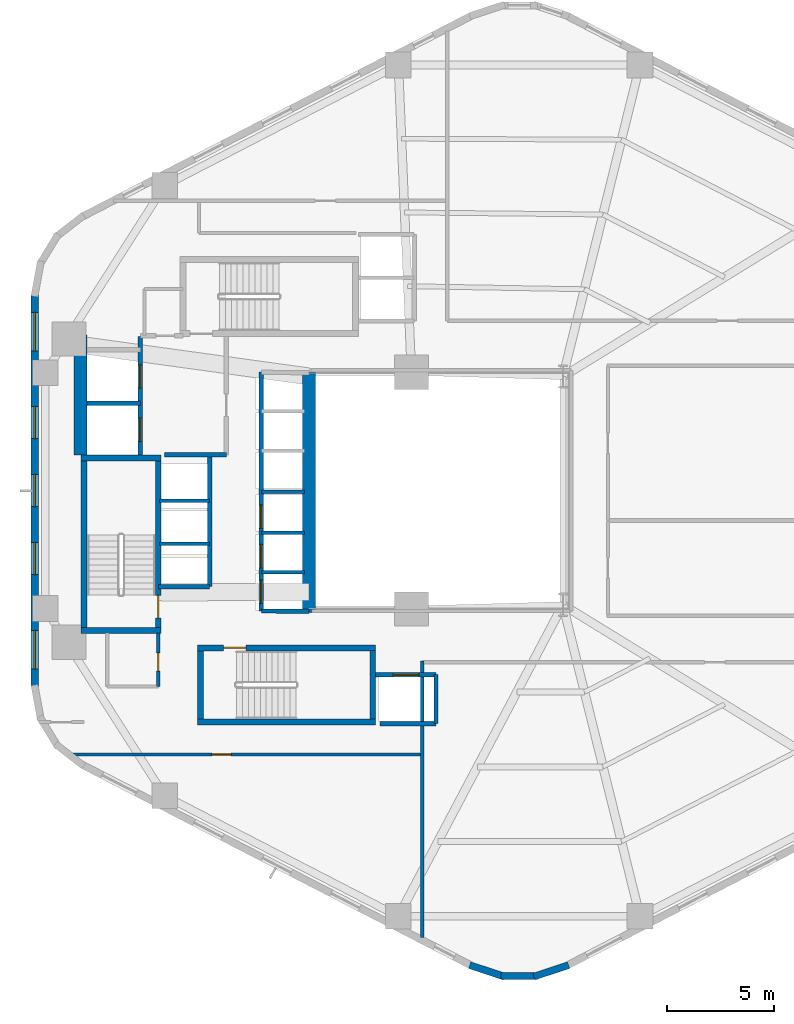
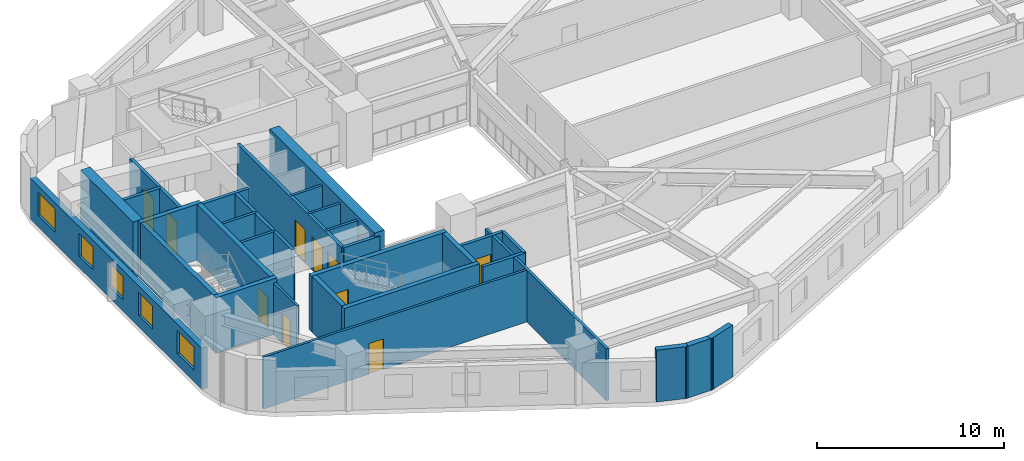
# One storey, part 5 of 10: 32 walls, 10 doors, 5 windows, 15 openings.
"""IFC4 building model written with IfcOpenShell, lengths in metres."""

from ifc_helpers import new_model, si_unit, direction, frame, frame_2d, origin, place, context, subcontext, project, spatial, rectangle, extrude, material, layer, layer_set, type_object, element, fill, save


model = new_model("IFC4")

# Units and contexts
model_context = context("Model", 3, precision=1e-05, world=origin(), true_north=direction((0.0, 1.0)))
body_context = subcontext(model_context, "Body", "Model", "MODEL_VIEW")
ifc_project = project(units=[si_unit("LENGTHUNIT", "METRE"), si_unit("AREAUNIT", "SQUARE_METRE"), si_unit("VOLUMEUNIT", "CUBIC_METRE"), si_unit("PLANEANGLEUNIT", "RADIAN"), si_unit("MASSUNIT", "GRAM", prefix="KILO"), si_unit("THERMODYNAMICTEMPERATUREUNIT", "KELVIN"), si_unit("POWERUNIT", "WATT")], contexts=[model_context])

# Site, building, storey
site_placement = place(None, origin())
site = spatial("IfcSite", under=ifc_project, at=site_placement, CompositionType="ELEMENT")
building_placement = place(site_placement, origin())
building = spatial("IfcBuilding", under=site, at=building_placement, Name="Skarre Station Tower", CompositionType="ELEMENT")
storey_placement = place(building_placement, frame((0.0, 0.0, 59.85009765625)))
storey = spatial("IfcBuildingStorey", under=building, at=storey_placement, Name="L15", CompositionType="ELEMENT", Elevation=59.85009765625)

# Wall, opening, door
ifc_material_1 = material(Name="Acoustic Steel-Stud Gypsum Partition", Category="steel")
ifc_layer_1 = layer(ifc_material_1, 0.14990234375, Name="Acoustic Steel-Stud Gypsum Partition")
ifc_layer_set_1 = layer_set([ifc_layer_1], Name="Acoustic Steel-Stud Gypsum Partition")
wall_type_1 = type_object("IfcWallType", Name="Fire-Rated Corridor Acoustic Partition 150", PredefinedType="PARTITIONING", material=ifc_layer_set_1)
wall_1_placement = place(storey_placement, frame((20.489990234375, 14.820068359375, 0.0), z_axis=(0.0, 0.0, 1.0), x_axis=(0.0, 1.0, 0.0)))
wall_1 = element("IfcWall", 1, at=wall_1_placement, inside=storey, type_object=wall_type_1, Name="L15 Interior Partition WL-PT-L15-CSVC-E", PredefinedType="PARTITIONING", context=body_context, shape_type="SweptSolid", body=[
    extrude(rectangle(XDim=2.52001953125, YDim=0.14990234375, at=frame_2d((1.260009765625, 0.0))), origin(), (0.0, 0.0, 1.0), 3.389892578125),
])
opening_1_placement = place(wall_1_placement, frame((0.719970703125, 0.0, 0.0)))
opening_1 = element("IfcOpeningElement", 2, at=opening_1_placement, cuts=wall_1, Name="Opening DR-SVC86", PredefinedType="OPENING", context=body_context, shape_type="SweptSolid", body=[
    extrude(rectangle(XDim=0.860107421875, YDim=2.0, at=frame_2d((0.43017578125, 1.0))), frame((0.0, 0.0849609375, 0.0), z_axis=(0.0, -1.0, 0.0), x_axis=(1.0, 0.0, 0.0)), (0.0, 0.0, 1.0), 0.169921875),
])
ifc_material_2 = material(Name="Powder-Coated Hollow-Metal Acoustic Fire Leaf", Category="steel")
door_type_1 = type_object("IfcDoorType", Name="Compact Riser Fire Door FD60 860x2100", OperationType="SINGLE_SWING_LEFT", PredefinedType="DOOR", material=ifc_material_2)
door_1_placement = place(opening_1_placement, origin())
door_1 = element("IfcDoor", 3, at=door_1_placement, inside=storey, type_object=door_type_1, Name="L15 Core Staff Toilet Door", OperationType="SINGLE_SWING_LEFT", OverallHeight=2.0, OverallWidth=0.860107421875, PredefinedType="DOOR", context=body_context, shape_type="SweptSolid", body=[
    extrude(rectangle(XDim=0.860107421875, YDim=2.0, at=frame_2d((0.43017578125, 1.0))), frame((0.0, 0.02490234375, 0.0), z_axis=(0.0, -1.0, 0.0), x_axis=(1.0, 0.0, 0.0)), (0.0, 0.0, 1.0), 0.050048828125),
])
fill(opening_1, door_1)

wall_2_placement = place(storey_placement, frame((16.487060546875, 11.639892578125, 0.0), z_axis=(0.0, 0.0, 1.0), x_axis=(1.0, 0.0, 0.0)))
wall_2 = element("IfcWall", 4, at=wall_2_placement, inside=storey, type_object=wall_type_1, Name="L15 Interior Partition WL-PT-L15-SWP-N", PredefinedType="PARTITIONING", context=body_context, shape_type="SweptSolid", body=[
    extrude(rectangle(XDim=16.363037109375, YDim=0.14990234375, at=frame_2d((8.181640625, 0.0))), origin(), (0.0, 0.0, 1.0), 3.389892578125),
])
opening_2_placement = place(wall_2_placement, frame((6.512939453125, 0.0, 0.0)))
opening_2 = element("IfcOpeningElement", 5, at=opening_2_placement, cuts=wall_2, Name="Opening DR-SVC90", PredefinedType="OPENING", context=body_context, shape_type="SweptSolid", body=[
    extrude(rectangle(XDim=0.89990234375, YDim=2.0, at=frame_2d((0.449951171875, 1.0))), frame((0.0, 0.0849609375, 0.0), z_axis=(0.0, -1.0, 0.0), x_axis=(1.0, 0.0, 0.0)), (0.0, 0.0, 1.0), 0.169921875),
])
door_type_2 = type_object("IfcDoorType", Name="Service & Riser Fire Door FD60 900x2100", OperationType="SINGLE_SWING_LEFT", PredefinedType="DOOR", material=ifc_material_2)
door_2_placement = place(opening_2_placement, origin())
door_2 = element("IfcDoor", 6, at=door_2_placement, inside=storey, type_object=door_type_2, Name="L15 Floor Public Toilets Door", OperationType="SINGLE_SWING_LEFT", OverallHeight=2.0, OverallWidth=0.89990234375, PredefinedType="DOOR", context=body_context, shape_type="SweptSolid", body=[
    extrude(rectangle(XDim=0.89990234375, YDim=2.0, at=frame_2d((0.449951171875, 1.0))), frame((0.0, 0.02490234375, 0.0), z_axis=(0.0, -1.0, 0.0), x_axis=(1.0, 0.0, 0.0)), (0.0, 0.0, 1.0), 0.050048828125),
])
fill(opening_2, door_2)

# Wall, openings, windows
ifc_material_3 = material(Name="Precast concrete C45/55", Category="concrete")
ifc_layer_2 = layer(ifc_material_3, 0.340087890625, Name="Precast concrete C45/55")
ifc_layer_set_2 = layer_set([ifc_layer_2], Name="Precast concrete C45/55")
wall_type_2 = type_object("IfcWallType", Name="Nordic Honed Precast Facet Wall 340", PredefinedType="STANDARD", material=ifc_layer_set_2)
wall_3_placement = place(storey_placement, frame((14.70703125, 14.798095703125, 0.0), z_axis=(0.0, 0.0, 1.0), x_axis=(0.0, 1.0, 0.0)))
wall_3 = element("IfcWall", 7, at=wall_3_placement, inside=storey, type_object=wall_type_2, Name="L15 Facet 2 Nordic Precast Masonry Wall", PredefinedType="STANDARD", context=body_context, shape_type="SweptSolid", body=[
    extrude(rectangle(XDim=18.40380859375, YDim=0.340087890625, at=frame_2d((9.201904296875, 0.0))), origin(), (0.0, 0.0, 1.0), 2.683837890625),
])
opening_3_placement = place(wall_3_placement, frame((0.844970703125, 0.0, 0.75)))
opening_3 = element("IfcOpeningElement", 8, at=opening_3_placement, cuts=wall_3, Name="Opening WN-Z1A", PredefinedType="OPENING", context=body_context, shape_type="SweptSolid", body=[
    extrude(rectangle(XDim=1.800048828125, YDim=1.5, at=frame_2d((0.89990234375, 0.75))), frame((0.0, 0.179931640625, 0.0), z_axis=(0.0, -1.0, 0.0), x_axis=(1.0, 0.0, 0.0)), (0.0, 0.0, 1.0), 0.360107421875),
])
opening_4_placement = place(wall_3_placement, frame((5.264892578125, 0.0, 0.75)))
opening_4 = element("IfcOpeningElement", 9, at=opening_4_placement, cuts=wall_3, Name="Opening WN-Z1B", PredefinedType="OPENING", context=body_context, shape_type="SweptSolid", body=[
    extrude(rectangle(XDim=1.5, YDim=1.5, at=frame_2d((0.75, 0.75))), frame((0.0, 0.179931640625, 0.0), z_axis=(0.0, -1.0, 0.0), x_axis=(1.0, 0.0, 0.0)), (0.0, 0.0, 1.0), 0.360107421875),
])
opening_5_placement = place(wall_3_placement, frame((8.451904296875, 0.0, 0.75)))
opening_5 = element("IfcOpeningElement", 10, at=opening_5_placement, cuts=wall_3, Name="Opening WN-Z1B", PredefinedType="OPENING", context=body_context, shape_type="SweptSolid", body=[
    extrude(rectangle(XDim=1.5, YDim=1.5, at=frame_2d((0.75, 0.75))), frame((0.0, 0.179931640625, 0.0), z_axis=(0.0, -1.0, 0.0), x_axis=(1.0, 0.0, 0.0)), (0.0, 0.0, 1.0), 0.360107421875),
])
opening_6_placement = place(wall_3_placement, frame((11.638916015625, 0.0, 0.75)))
opening_6 = element("IfcOpeningElement", 11, at=opening_6_placement, cuts=wall_3, Name="Opening WN-Z1B", PredefinedType="OPENING", context=body_context, shape_type="SweptSolid", body=[
    extrude(rectangle(XDim=1.5, YDim=1.5, at=frame_2d((0.75, 0.75))), frame((0.0, 0.179931640625, 0.0), z_axis=(0.0, -1.0, 0.0), x_axis=(1.0, 0.0, 0.0)), (0.0, 0.0, 1.0), 0.360107421875),
])
opening_7_placement = place(wall_3_placement, frame((15.758056640625, 0.0, 0.75)))
opening_7 = element("IfcOpeningElement", 12, at=opening_7_placement, cuts=wall_3, Name="Opening WN-Z1A", PredefinedType="OPENING", context=body_context, shape_type="SweptSolid", body=[
    extrude(rectangle(XDim=1.800048828125, YDim=1.5, at=frame_2d((0.89990234375, 0.75))), frame((0.0, 0.179931640625, 0.0), z_axis=(0.0, -1.0, 0.0), x_axis=(1.0, 0.0, 0.0)), (0.0, 0.0, 1.0), 0.360107421875),
])
ifc_material_4 = material(Name="Low-Iron Triple Glazing with Bronze Anodized Frame", Category="glass")
window_type_1 = type_object("IfcWindowType", Name="Nordic Punched Triple-Glazed Window 1500x1500", PartitioningType="SINGLE_PANEL", PredefinedType="WINDOW", material=ifc_material_4)
window_1_placement = place(opening_4_placement, origin())
window_1 = element("IfcWindow", 13, at=window_1_placement, inside=storey, type_object=window_type_1, Name="L15 Facade Window WL-FAC-L15-F2-2", OverallHeight=1.5, OverallWidth=1.5, PartitioningType="SINGLE_PANEL", PredefinedType="WINDOW", context=body_context, shape_type="SweptSolid", body=[
    extrude(rectangle(XDim=1.5, YDim=1.5, at=frame_2d((0.75, 0.75))), frame((0.0, 0.030029296875, 0.0), z_axis=(0.0, -1.0, 0.0), x_axis=(1.0, 0.0, 0.0)), (0.0, 0.0, 1.0), 0.06005859375),
])
fill(opening_4, window_1)
window_2_placement = place(opening_5_placement, origin())
window_2 = element("IfcWindow", 14, at=window_2_placement, inside=storey, type_object=window_type_1, Name="L15 Facade Window WL-FAC-L15-F2-3", OverallHeight=1.5, OverallWidth=1.5, PartitioningType="SINGLE_PANEL", PredefinedType="WINDOW", context=body_context, shape_type="SweptSolid", body=[
    extrude(rectangle(XDim=1.5, YDim=1.5, at=frame_2d((0.75, 0.75))), frame((0.0, 0.030029296875, 0.0), z_axis=(0.0, -1.0, 0.0), x_axis=(1.0, 0.0, 0.0)), (0.0, 0.0, 1.0), 0.06005859375),
])
fill(opening_5, window_2)
window_3_placement = place(opening_6_placement, origin())
window_3 = element("IfcWindow", 15, at=window_3_placement, inside=storey, type_object=window_type_1, Name="L15 Facade Window WL-FAC-L15-F2-4", OverallHeight=1.5, OverallWidth=1.5, PartitioningType="SINGLE_PANEL", PredefinedType="WINDOW", context=body_context, shape_type="SweptSolid", body=[
    extrude(rectangle(XDim=1.5, YDim=1.5, at=frame_2d((0.75, 0.75))), frame((0.0, 0.030029296875, 0.0), z_axis=(0.0, -1.0, 0.0), x_axis=(1.0, 0.0, 0.0)), (0.0, 0.0, 1.0), 0.06005859375),
])
fill(opening_6, window_3)
window_type_2 = type_object("IfcWindowType", Name="Nordic Punched Triple-Glazed Window 1800x1500", PartitioningType="SINGLE_PANEL", PredefinedType="WINDOW", material=ifc_material_4)
window_4_placement = place(opening_3_placement, origin())
window_4 = element("IfcWindow", 16, at=window_4_placement, inside=storey, type_object=window_type_2, Name="L15 Facade Window WL-FAC-L15-F2-1", OverallHeight=1.5, OverallWidth=1.800048828125, PartitioningType="SINGLE_PANEL", PredefinedType="WINDOW", context=body_context, shape_type="SweptSolid", body=[
    extrude(rectangle(XDim=1.800048828125, YDim=1.5, at=frame_2d((0.89990234375, 0.75))), frame((0.0, 0.030029296875, 0.0), z_axis=(0.0, -1.0, 0.0), x_axis=(1.0, 0.0, 0.0)), (0.0, 0.0, 1.0), 0.06005859375),
])
fill(opening_3, window_4)
window_5_placement = place(opening_7_placement, origin())
window_5 = element("IfcWindow", 17, at=window_5_placement, inside=storey, type_object=window_type_2, Name="L15 Facade Window WL-FAC-L15-F2-5", OverallHeight=1.5, OverallWidth=1.800048828125, PartitioningType="SINGLE_PANEL", PredefinedType="WINDOW", context=body_context, shape_type="SweptSolid", body=[
    extrude(rectangle(XDim=1.800048828125, YDim=1.5, at=frame_2d((0.89990234375, 0.75))), frame((0.0, 0.030029296875, 0.0), z_axis=(0.0, -1.0, 0.0), x_axis=(1.0, 0.0, 0.0)), (0.0, 0.0, 1.0), 0.06005859375),
])
fill(opening_7, window_5)

# Walls
ifc_layer_3 = layer(ifc_material_3, 0.330078125, Name="Precast concrete C45/55")
ifc_layer_set_3 = layer_set([ifc_layer_3], Name="Precast concrete C45/55")
wall_type_3 = type_object("IfcWallType", Name="Nordic Rounded Corner Precast Wall 330", PredefinedType="STANDARD", material=ifc_layer_set_3)
wall_4_placement = place(storey_placement, frame((39.718994140625, 1.76904296875, 0.0), z_axis=(0.0, 0.0, 1.0), x_axis=(-0.94976901097, -0.312951794691, 0.0)))
element("IfcWall", 18, at=wall_4_placement, inside=storey, type_object=wall_type_3, Name="L15 Rounded Corner Precast Wall F4-1", PredefinedType="STANDARD", context=body_context, shape_type="SweptSolid", body=[
    extrude(rectangle(XDim=1.722412109375, YDim=0.330078125, at=frame_2d((0.861328125, 0.0))), origin(), (0.0, 0.0, 1.0), 3.389892578125),
])
wall_5_placement = place(storey_placement, frame((38.260986328125, 1.259033203125, 0.0), z_axis=(0.0, 0.0, 1.0), x_axis=(-1.0, 0.0, 0.0)))
element("IfcWall", 19, at=wall_5_placement, inside=storey, type_object=wall_type_3, Name="L15 Rounded Corner Precast Wall F4-2", PredefinedType="STANDARD", context=body_context, shape_type="SweptSolid", body=[
    extrude(rectangle(XDim=1.721923828125, YDim=0.330078125, at=frame_2d((0.86083984375, 0.0))), origin(), (0.0, 0.0, 1.0), 3.389892578125),
])
wall_6_placement = place(storey_placement, frame((36.717041015625, 1.22998046875, 0.0), z_axis=(0.0, 0.0, 1.0), x_axis=(-0.94976901097, 0.312951794691, 0.0)))
element("IfcWall", 20, at=wall_6_placement, inside=storey, type_object=wall_type_3, Name="L15 Rounded Corner Precast Wall F4-3", PredefinedType="STANDARD", context=body_context, shape_type="SweptSolid", body=[
    extrude(rectangle(XDim=1.722412109375, YDim=0.330078125, at=frame_2d((0.861328125, 0.0))), origin(), (0.0, 0.0, 1.0), 3.389892578125),
])
ifc_material_5 = material(Name="Concrete C50/60", Category="concrete")
ifc_layer_4 = layer(ifc_material_5, 0.280029296875, Name="Concrete C50/60")
ifc_layer_set_4 = layer_set([ifc_layer_4], Name="Concrete C50/60")
wall_type_4 = type_object("IfcWallType", Name="RC Core Shear Wall 280", PredefinedType="SHEAR", material=ifc_layer_set_4)
for number, where, z_axis, x_axis, name in (
    (21, (16.8701171875, 17.4599609375, 0.0), (0.0, 0.0, 1.0), (1.0, 0.0, 0.0), "L15 Stair ST-1 South Shear Wall"),
    (22, (20.6298828125, 25.5400390625, 0.0), (0.0, 0.0, 1.0), (-1.0, 0.0, 0.0), "L15 Stair ST-1 North Shear Wall"),
):
    element("IfcWall", number, at=place(storey_placement, frame(where, z_axis=z_axis, x_axis=x_axis)), inside=storey, type_object=wall_type_4, Name=name, PredefinedType="SHEAR", context=body_context, shape_type="SweptSolid", body=[
        extrude(rectangle(XDim=3.759765625, YDim=0.280029296875, at=frame_2d((1.8798828125, 0.0))), origin(), (0.0, 0.0, 1.0), 3.64990234375),
    ])
wall_7_placement = place(storey_placement, frame((17.010009765625, 25.39990234375, 0.0), z_axis=(0.0, 0.0, 1.0), x_axis=(0.0, -1.0, 0.0)))
element("IfcWall", 23, at=wall_7_placement, inside=storey, type_object=wall_type_4, Name="L15 Stair ST-1 West Shear Wall", PredefinedType="SHEAR", context=body_context, shape_type="SweptSolid", body=[
    extrude(rectangle(XDim=7.7998046875, YDim=0.280029296875, at=frame_2d((3.89990234375, 0.0))), origin(), (0.0, 0.0, 1.0), 3.64990234375),
])

# Wall, opening, door
wall_8_placement = place(storey_placement, frame((20.489990234375, 17.60009765625, 0.0), z_axis=(0.0, 0.0, 1.0), x_axis=(0.0, 1.0, 0.0)))
wall_8 = element("IfcWall", 24, at=wall_8_placement, inside=storey, type_object=wall_type_4, Name="L15 Stair ST-1 East Shear Wall", PredefinedType="SHEAR", context=body_context, shape_type="SweptSolid", body=[
    extrude(rectangle(XDim=7.7998046875, YDim=0.280029296875, at=frame_2d((3.89990234375, 0.0))), origin(), (0.0, 0.0, 1.0), 3.64990234375),
])
opening_8_placement = place(wall_8_placement, frame((0.43994140625, 0.0, 0.0)))
opening_8 = element("IfcOpeningElement", 25, at=opening_8_placement, cuts=wall_8, Name="Opening DR-FD90", PredefinedType="OPENING", context=body_context, shape_type="SweptSolid", body=[
    extrude(rectangle(XDim=1.050048828125, YDim=2.0, at=frame_2d((0.52490234375, 1.0))), frame((0.0, 0.14990234375, 0.0), z_axis=(0.0, -1.0, 0.0), x_axis=(1.0, 0.0, 0.0)), (0.0, 0.0, 1.0), 0.300048828125),
])
ifc_material_6 = material(Name="Fire-Rated Insulated Steel Frame & Timber Core Leaf", Category="steel")
door_type_3 = type_object("IfcDoorType", Name="Stair & FSAE Lobby Fire Door FD90 1050x2150", OperationType="SINGLE_SWING_RIGHT", PredefinedType="DOOR", material=ifc_material_6)
door_3_placement = place(opening_8_placement, origin())
door_3 = element("IfcDoor", 26, at=door_3_placement, inside=storey, type_object=door_type_3, Name="L15 Stair ST-1 Exit Door", OperationType="SINGLE_SWING_RIGHT", OverallHeight=2.0, OverallWidth=1.050048828125, PredefinedType="DOOR", context=body_context, shape_type="SweptSolid", body=[
    extrude(rectangle(XDim=1.050048828125, YDim=2.0, at=frame_2d((0.52490234375, 1.0))), frame((0.0, 0.02490234375, 0.0), z_axis=(0.0, -1.0, 0.0), x_axis=(1.0, 0.0, 0.0)), (0.0, 0.0, 1.0), 0.050048828125),
])
fill(opening_8, door_3)

# Wall
wall_9_placement = place(storey_placement, frame((22.320068359375, 13.159912109375, 0.0), z_axis=(0.0, 0.0, 1.0), x_axis=(1.0, 0.0, 0.0)))
element("IfcWall", 27, at=wall_9_placement, inside=storey, type_object=wall_type_4, Name="L15 Stair ST-2 South Shear Wall", PredefinedType="SHEAR", context=body_context, shape_type="SweptSolid", body=[
    extrude(rectangle(XDim=8.35986328125, YDim=0.280029296875, at=frame_2d((4.179931640625, 0.0))), origin(), (0.0, 0.0, 1.0), 3.64990234375),
])

# Wall, opening, door
wall_10_placement = place(storey_placement, frame((30.679931640625, 16.639892578125, 0.0), z_axis=(0.0, 0.0, 1.0), x_axis=(-1.0, 0.0, 0.0)))
wall_10 = element("IfcWall", 28, at=wall_10_placement, inside=storey, type_object=wall_type_4, Name="L15 Stair ST-2 North Shear Wall", PredefinedType="SHEAR", context=body_context, shape_type="SweptSolid", body=[
    extrude(rectangle(XDim=8.35986328125, YDim=0.280029296875, at=frame_2d((4.179931640625, 0.0))), origin(), (0.0, 0.0, 1.0), 3.64990234375),
])
opening_9_placement = place(wall_10_placement, frame((6.080078125, 0.0, 0.0)))
opening_9 = element("IfcOpeningElement", 29, at=opening_9_placement, cuts=wall_10, Name="Opening DR-FD90", PredefinedType="OPENING", context=body_context, shape_type="SweptSolid", body=[
    extrude(rectangle(XDim=1.050048828125, YDim=2.0, at=frame_2d((0.52490234375, 1.0))), frame((0.0, 0.14990234375, 0.0), z_axis=(0.0, -1.0, 0.0), x_axis=(1.0, 0.0, 0.0)), (0.0, 0.0, 1.0), 0.300048828125),
])
door_4_placement = place(opening_9_placement, origin())
door_4 = element("IfcDoor", 30, at=door_4_placement, inside=storey, type_object=door_type_3, Name="L15 Stair ST-2 Exit Door", OperationType="SINGLE_SWING_RIGHT", OverallHeight=2.0, OverallWidth=1.050048828125, PredefinedType="DOOR", context=body_context, shape_type="SweptSolid", body=[
    extrude(rectangle(XDim=1.050048828125, YDim=2.0, at=frame_2d((0.52490234375, 1.0))), frame((0.0, 0.02490234375, 0.0), z_axis=(0.0, -1.0, 0.0), x_axis=(1.0, 0.0, 0.0)), (0.0, 0.0, 1.0), 0.050048828125),
])
fill(opening_9, door_4)

# Walls
for number, where, z_axis, x_axis, name in (
    (31, (22.4599609375, 16.5, 0.0), (0.0, 0.0, 1.0), (0.0, -1.0, 0.0), "L15 Stair ST-2 West Shear Wall"),
    (32, (30.5400390625, 13.300048828125, 0.0), (0.0, 0.0, 1.0), (0.0, 1.0, 0.0), "L15 Stair ST-2 East Shear Wall"),
):
    element("IfcWall", number, at=place(storey_placement, frame(where, z_axis=z_axis, x_axis=x_axis)), inside=storey, type_object=wall_type_4, Name=name, PredefinedType="SHEAR", context=body_context, shape_type="SweptSolid", body=[
        extrude(rectangle(XDim=3.199951171875, YDim=0.280029296875, at=frame_2d((1.60009765625, 0.0))), origin(), (0.0, 0.0, 1.0), 3.64990234375),
    ])
ifc_material_7 = material(Name="Concrete C70/85", Category="concrete")
ifc_layer_5 = layer(ifc_material_7, 0.60009765625, Name="Concrete C70/85")
ifc_layer_set_5 = layer_set([ifc_layer_5], Name="Concrete C70/85")
wall_type_5 = type_object("IfcWallType", Name="RC Core Shear Wall 600", PredefinedType="SHEAR", material=ifc_layer_set_5)
wall_11_placement = place(storey_placement, frame((16.85009765625, 25.679931640625, 0.0), z_axis=(0.0, 0.0, 1.0), x_axis=(0.0, 1.0, 0.0)))
element("IfcWall", 33, at=wall_11_placement, inside=storey, type_object=wall_type_5, Name="L15 Core West-North Shear Wall", PredefinedType="SHEAR", context=body_context, shape_type="SweptSolid", body=[
    extrude(rectangle(XDim=5.6201171875, YDim=0.60009765625, at=frame_2d((2.81005859375, 0.0))), origin(), (0.0, 0.0, 1.0), 3.64990234375),
])
wall_12_placement = place(storey_placement, frame((27.550048828125, 29.550048828125, 0.0), z_axis=(0.0, 0.0, 1.0), x_axis=(0.0, -1.0, 0.0)))
element("IfcWall", 34, at=wall_12_placement, inside=storey, type_object=wall_type_5, Name="L15 Core East Atrium Shear Wall", PredefinedType="SHEAR", context=body_context, shape_type="SweptSolid", body=[
    extrude(rectangle(XDim=11.25, YDim=0.60009765625, at=frame_2d((5.625, 0.0))), origin(), (0.0, 0.0, 1.0), 3.64990234375),
])

# Wall, openings, doors
ifc_material_8 = material(Name="Gypsum Concrete Shaft Assembly C30/37", Category="concrete")
ifc_layer_6 = layer(ifc_material_8, 0.199951171875, Name="Gypsum Concrete Shaft Assembly C30/37")
ifc_layer_set_6 = layer_set([ifc_layer_6], Name="Gypsum Concrete Shaft Assembly C30/37")
wall_type_6 = type_object("IfcWallType", Name="Shaft & Core Fire Partition 200", PredefinedType="PARTITIONING", material=ifc_layer_set_6)
wall_13_placement = place(storey_placement, frame((19.64990234375, 25.679931640625, 0.0), z_axis=(0.0, 0.0, 1.0), x_axis=(0.0, 1.0, 0.0)))
wall_13 = element("IfcWall", 35, at=wall_13_placement, inside=storey, type_object=wall_type_6, Name="L15 Interior Partition WL-PT-L15-FSAE-W", PredefinedType="PARTITIONING", context=body_context, shape_type="SweptSolid", body=[
    extrude(rectangle(XDim=5.5400390625, YDim=0.199951171875, at=frame_2d((2.77001953125, 0.0))), origin(), (0.0, 0.0, 1.0), 3.389892578125),
])
opening_10_placement = place(wall_13_placement, frame((0.6201171875, 0.0, 0.0)))
opening_10 = element("IfcOpeningElement", 36, at=opening_10_placement, cuts=wall_13, Name="Opening LD-FF1", PredefinedType="OPENING", context=body_context, shape_type="SweptSolid", body=[
    extrude(rectangle(XDim=1.10009765625, YDim=2.199951171875, at=frame_2d((0.550048828125, 1.10009765625))), frame((0.0, 0.10986328125, 0.0), z_axis=(0.0, -1.0, 0.0), x_axis=(1.0, 0.0, 0.0)), (0.0, 0.0, 1.0), 0.219970703125),
])
opening_11_placement = place(wall_13_placement, frame((3.1201171875, 0.0, 0.0)))
opening_11 = element("IfcOpeningElement", 37, at=opening_11_placement, cuts=wall_13, Name="Opening LD-FF2", PredefinedType="OPENING", context=body_context, shape_type="SweptSolid", body=[
    extrude(rectangle(XDim=1.10009765625, YDim=2.199951171875, at=frame_2d((0.550048828125, 1.10009765625))), frame((0.0, 0.10986328125, 0.0), z_axis=(0.0, -1.0, 0.0), x_axis=(1.0, 0.0, 0.0)), (0.0, 0.0, 1.0), 0.219970703125),
])
ifc_material_9 = material(Name="Fire-Rated Stainless Steel Grade 316L Sliding Leaves", Category="steel")
door_type_4 = type_object("IfcDoorType", Name="Fire Service Access Elevator Sliding Landing Door 1100x2200", OperationType="SLIDING_TO_LEFT", PredefinedType="DOOR", material=ifc_material_9)
door_5_placement = place(opening_10_placement, origin())
door_5 = element("IfcDoor", 38, at=door_5_placement, inside=storey, type_object=door_type_4, Name="L15 Firefighting Lift LF-FF1 Landing Door", OperationType="SLIDING_TO_LEFT", OverallHeight=2.199951171875, OverallWidth=1.10009765625, PredefinedType="DOOR", context=body_context, shape_type="SweptSolid", body=[
    extrude(rectangle(XDim=1.10009765625, YDim=2.199951171875, at=frame_2d((0.550048828125, 1.10009765625))), frame((0.0, 0.02490234375, 0.0), z_axis=(0.0, -1.0, 0.0), x_axis=(1.0, 0.0, 0.0)), (0.0, 0.0, 1.0), 0.050048828125),
])
fill(opening_10, door_5)
door_6_placement = place(opening_11_placement, origin())
door_6 = element("IfcDoor", 39, at=door_6_placement, inside=storey, type_object=door_type_4, Name="L15 Firefighting Lift LF-FF2 Landing Door", OperationType="SLIDING_TO_LEFT", OverallHeight=2.199951171875, OverallWidth=1.10009765625, PredefinedType="DOOR", context=body_context, shape_type="SweptSolid", body=[
    extrude(rectangle(XDim=1.10009765625, YDim=2.199951171875, at=frame_2d((0.550048828125, 1.10009765625))), frame((0.0, 0.02490234375, 0.0), z_axis=(0.0, -1.0, 0.0), x_axis=(1.0, 0.0, 0.0)), (0.0, 0.0, 1.0), 0.050048828125),
])
fill(opening_11, door_6)

# Walls
wall_14_placement = place(storey_placement, frame((20.79296875, 25.679931640625, 0.0), z_axis=(0.0, 0.0, 1.0), x_axis=(1.0, 0.0, 0.0)))
element("IfcWall", 40, at=wall_14_placement, inside=storey, type_object=wall_type_6, Name="L15 Interior Partition WL-PT-L15-FSAE-S", PredefinedType="PARTITIONING", context=body_context, shape_type="SweptSolid", body=[
    extrude(rectangle(XDim=2.886962890625, YDim=0.199951171875, at=frame_2d((1.443359375, 0.0))), origin(), (0.0, 0.0, 1.0), 3.389892578125),
])
wall_15_placement = place(storey_placement, frame((17.14990234375, 28.10009765625, 0.0), z_axis=(0.0, 0.0, 1.0), x_axis=(1.0, 0.0, 0.0)))
element("IfcWall", 41, at=wall_15_placement, inside=storey, type_object=wall_type_6, Name="L15 Interior Partition WL-PT-L15-FF-DIV", PredefinedType="PARTITIONING", context=body_context, shape_type="SweptSolid", body=[
    extrude(rectangle(XDim=2.5, YDim=0.199951171875, at=frame_2d((1.25, 0.0))), origin(), (0.0, 0.0, 1.0), 3.389892578125),
])

# Wall, opening, door
wall_16_placement = place(storey_placement, frame((33.5, 15.3798828125, 0.0), z_axis=(0.0, 0.0, 1.0), x_axis=(-1.0, 0.0, 0.0)))
wall_16 = element("IfcWall", 42, at=wall_16_placement, inside=storey, type_object=wall_type_6, Name="L15 Interior Partition WL-PT-L15-SV1-N", PredefinedType="PARTITIONING", context=body_context, shape_type="SweptSolid", body=[
    extrude(rectangle(XDim=2.820068359375, YDim=0.199951171875, at=frame_2d((1.41015625, 0.0))), origin(), (0.0, 0.0, 1.0), 3.389892578125),
])
opening_12_placement = place(wall_16_placement, frame((0.800048828125, 0.0, 0.0)))
opening_12 = element("IfcOpeningElement", 43, at=opening_12_placement, cuts=wall_16, Name="Opening LD-SV1", PredefinedType="OPENING", context=body_context, shape_type="SweptSolid", body=[
    extrude(rectangle(XDim=1.199951171875, YDim=2.199951171875, at=frame_2d((0.60009765625, 1.10009765625))), frame((0.0, 0.10986328125, 0.0), z_axis=(0.0, -1.0, 0.0), x_axis=(1.0, 0.0, 0.0)), (0.0, 0.0, 1.0), 0.219970703125),
])
ifc_material_10 = material(Name="Heavy-Gauge Brushed Stainless Steel Sliding Leaves", Category="steel")
door_type_5 = type_object("IfcDoorType", Name="Service Elevator Wide Sliding Landing Door 1200x2200", OperationType="SLIDING_TO_RIGHT", PredefinedType="DOOR", material=ifc_material_10)
door_7_placement = place(opening_12_placement, origin())
door_7 = element("IfcDoor", 44, at=door_7_placement, inside=storey, type_object=door_type_5, Name="L15 Service Lift LF-SV1 Landing Door", OperationType="SLIDING_TO_RIGHT", OverallHeight=2.199951171875, OverallWidth=1.199951171875, PredefinedType="DOOR", context=body_context, shape_type="SweptSolid", body=[
    extrude(rectangle(XDim=1.199951171875, YDim=2.199951171875, at=frame_2d((0.60009765625, 1.10009765625))), frame((0.0, 0.02490234375, 0.0), z_axis=(0.0, -1.0, 0.0), x_axis=(1.0, 0.0, 0.0)), (0.0, 0.0, 1.0), 0.050048828125),
])
fill(opening_12, door_7)

# Walls
wall_17_placement = place(storey_placement, frame((33.5, 13.080078125, 0.0), z_axis=(0.0, 0.0, 1.0), x_axis=(0.0, 1.0, 0.0)))
element("IfcWall", 45, at=wall_17_placement, inside=storey, type_object=wall_type_6, Name="L15 Interior Partition WL-PT-L15-SV1-E", PredefinedType="PARTITIONING", context=body_context, shape_type="SweptSolid", body=[
    extrude(rectangle(XDim=2.2998046875, YDim=0.199951171875, at=frame_2d((1.14990234375, 0.0))), origin(), (0.0, 0.0, 1.0), 3.389892578125),
])
wall_18_placement = place(storey_placement, frame((30.87890625, 13.080078125, 0.0), z_axis=(0.0, 0.0, 1.0), x_axis=(1.0, 0.0, 0.0)))
element("IfcWall", 46, at=wall_18_placement, inside=storey, type_object=wall_type_6, Name="L15 Interior Partition WL-PT-L15-SV1-S", PredefinedType="PARTITIONING", context=body_context, shape_type="SweptSolid", body=[
    extrude(rectangle(XDim=2.62109375, YDim=0.199951171875, at=frame_2d((1.310546875, 0.0))), origin(), (0.0, 0.0, 1.0), 3.389892578125),
])
wall_19_placement = place(storey_placement, frame((22.89990234375, 19.5, 0.0), z_axis=(0.0, 0.0, 1.0), x_axis=(0.0, 1.0, 0.0)))
element("IfcWall", 47, at=wall_19_placement, inside=storey, type_object=wall_type_6, Name="L15 Interior Partition WL-PT-L15-B3-E", PredefinedType="PARTITIONING", context=body_context, shape_type="SweptSolid", body=[
    extrude(rectangle(XDim=6.0849609375, YDim=0.199951171875, at=frame_2d((3.04248046875, 0.0))), origin(), (0.0, 0.0, 1.0), 3.389892578125),
])
wall_20_placement = place(storey_placement, frame((20.489990234375, 19.5, 0.0), z_axis=(0.0, 0.0, 1.0), x_axis=(1.0, 0.0, 0.0)))
element("IfcWall", 48, at=wall_20_placement, inside=storey, type_object=wall_type_6, Name="L15 Interior Partition WL-PT-L15-B3-S", PredefinedType="PARTITIONING", context=body_context, shape_type="SweptSolid", body=[
    extrude(rectangle(XDim=2.409912109375, YDim=0.199951171875, at=frame_2d((1.205078125, 0.0))), origin(), (0.0, 0.0, 1.0), 2.289794921875),
])
for number, where, z_axis, x_axis, name in (
    (49, (20.550048828125, 21.52001953125, 0.0), (0.0, 0.0, 1.0), (1.0, 0.0, 0.0), "L15 Interior Partition WL-PT-L15-B3-D1"),
    (50, (20.550048828125, 23.52001953125, 0.0), (0.0, 0.0, 1.0), (1.0, 0.0, 0.0), "L15 Interior Partition WL-PT-L15-B3-D2"),
):
    element("IfcWall", number, at=place(storey_placement, frame(where, z_axis=z_axis, x_axis=x_axis)), inside=storey, type_object=wall_type_6, Name=name, PredefinedType="PARTITIONING", context=body_context, shape_type="SweptSolid", body=[
        extrude(rectangle(XDim=2.349853515625, YDim=0.159912109375, at=frame_2d((1.1748046875, 0.0))), origin(), (0.0, 0.0, 1.0), 3.389892578125),
    ])

# Wall, openings, doors
wall_21_placement = place(storey_placement, frame((25.320068359375, 29.550048828125, 0.0), z_axis=(0.0, 0.0, 1.0), x_axis=(0.0, -1.0, 0.0)))
wall_21 = element("IfcWall", 51, at=wall_21_placement, inside=storey, type_object=wall_type_6, Name="L15 Interior Partition WL-PT-L15-B12-W", PredefinedType="PARTITIONING", context=body_context, shape_type="SweptSolid", body=[
    extrude(rectangle(XDim=11.18994140625, YDim=0.199951171875, at=frame_2d((5.594970703125, 0.0))), origin(), (0.0, 0.0, 1.0), 3.389892578125),
])
opening_13_placement = place(wall_21_placement, frame((6.219970703125, 0.0, 0.0)))
opening_13 = element("IfcOpeningElement", 52, at=opening_13_placement, cuts=wall_21, Name="Opening LD-P3", PredefinedType="OPENING", context=body_context, shape_type="SweptSolid", body=[
    extrude(rectangle(XDim=1.10009765625, YDim=2.199951171875, at=frame_2d((0.550048828125, 1.10009765625))), frame((0.0, 0.10986328125, 0.0), z_axis=(0.0, -1.0, 0.0), x_axis=(1.0, 0.0, 0.0)), (0.0, 0.0, 1.0), 0.219970703125),
])
opening_14_placement = place(wall_21_placement, frame((8.070068359375, 0.0, 0.0)))
opening_14 = element("IfcOpeningElement", 53, at=opening_14_placement, cuts=wall_21, Name="Opening LD-P2", PredefinedType="OPENING", context=body_context, shape_type="SweptSolid", body=[
    extrude(rectangle(XDim=1.10009765625, YDim=2.199951171875, at=frame_2d((0.550048828125, 1.10009765625))), frame((0.0, 0.10986328125, 0.0), z_axis=(0.0, -1.0, 0.0), x_axis=(1.0, 0.0, 0.0)), (0.0, 0.0, 1.0), 0.219970703125),
])
opening_15_placement = place(wall_21_placement, frame((9.72998046875, 0.0, 0.0)))
opening_15 = element("IfcOpeningElement", 54, at=opening_15_placement, cuts=wall_21, Name="Opening LD-P1", PredefinedType="OPENING", context=body_context, shape_type="SweptSolid", body=[
    extrude(rectangle(XDim=1.10009765625, YDim=2.199951171875, at=frame_2d((0.550048828125, 1.10009765625))), frame((0.0, 0.10986328125, 0.0), z_axis=(0.0, -1.0, 0.0), x_axis=(1.0, 0.0, 0.0)), (0.0, 0.0, 1.0), 0.219970703125),
])
ifc_material_11 = material(Name="Brushed Bronze Stainless Steel Sliding Leaves", Category="steel")
door_type_6 = type_object("IfcDoorType", Name="Passenger Elevator Center-Parting Sliding Door 1100x2200", OperationType="SLIDING_TO_LEFT", PredefinedType="DOOR", material=ifc_material_11)
door_8_placement = place(opening_13_placement, origin())
door_8 = element("IfcDoor", 55, at=door_8_placement, inside=storey, type_object=door_type_6, Name="L15 Passenger Lift LF-P3 Landing Door", OperationType="SLIDING_TO_LEFT", OverallHeight=2.199951171875, OverallWidth=1.10009765625, PredefinedType="DOOR", context=body_context, shape_type="SweptSolid", body=[
    extrude(rectangle(XDim=1.10009765625, YDim=2.199951171875, at=frame_2d((0.550048828125, 1.10009765625))), frame((0.0, 0.02490234375, 0.0), z_axis=(0.0, -1.0, 0.0), x_axis=(1.0, 0.0, 0.0)), (0.0, 0.0, 1.0), 0.050048828125),
])
fill(opening_13, door_8)
door_9_placement = place(opening_14_placement, origin())
door_9 = element("IfcDoor", 56, at=door_9_placement, inside=storey, type_object=door_type_6, Name="L15 Passenger Lift LF-P2 Landing Door", OperationType="SLIDING_TO_LEFT", OverallHeight=2.199951171875, OverallWidth=1.10009765625, PredefinedType="DOOR", context=body_context, shape_type="SweptSolid", body=[
    extrude(rectangle(XDim=1.10009765625, YDim=2.199951171875, at=frame_2d((0.550048828125, 1.10009765625))), frame((0.0, 0.02490234375, 0.0), z_axis=(0.0, -1.0, 0.0), x_axis=(1.0, 0.0, 0.0)), (0.0, 0.0, 1.0), 0.050048828125),
])
fill(opening_14, door_9)
door_10_placement = place(opening_15_placement, origin())
door_10 = element("IfcDoor", 57, at=door_10_placement, inside=storey, type_object=door_type_6, Name="L15 Passenger Lift LF-P1 Landing Door", OperationType="SLIDING_TO_LEFT", OverallHeight=2.199951171875, OverallWidth=1.10009765625, PredefinedType="DOOR", context=body_context, shape_type="SweptSolid", body=[
    extrude(rectangle(XDim=1.10009765625, YDim=2.199951171875, at=frame_2d((0.550048828125, 1.10009765625))), frame((0.0, 0.02490234375, 0.0), z_axis=(0.0, -1.0, 0.0), x_axis=(1.0, 0.0, 0.0)), (0.0, 0.0, 1.0), 0.050048828125),
])
fill(opening_15, door_10)

# Walls
wall_22_placement = place(storey_placement, frame((25.320068359375, 18.360107421875, 0.0), z_axis=(0.0, 0.0, 1.0), x_axis=(0.999989925833, -0.004488678231, 0.0)))
element("IfcWall", 58, at=wall_22_placement, inside=storey, type_object=wall_type_6, Name="L15 Interior Partition WL-PT-L15-B12-S", PredefinedType="PARTITIONING", context=body_context, shape_type="SweptSolid", body=[
    extrude(rectangle(XDim=2.22998046875, YDim=0.199951171875, at=frame_2d((1.114990234375, 0.0))), origin(), (0.0, 0.0, 1.0), 3.389892578125),
])
for number, where, z_axis, x_axis, name in (
    (59, (25.320068359375, 20.169921875, 0.0), (0.0, 0.0, 1.0), (1.0, 0.0, 0.0), "L15 Interior Partition WL-PT-L15-B12-D201"),
    (60, (25.320068359375, 22.02001953125, 0.0), (0.0, 0.0, 1.0), (1.0, 0.0, 0.0), "L15 Interior Partition WL-PT-L15-B12-D220"),
    (61, (25.320068359375, 23.949951171875, 0.0), (0.0, 0.0, 1.0), (1.0, 0.0, 0.0), "L15 Interior Partition WL-PT-L15-B12-D239"),
):
    element("IfcWall", number, at=place(storey_placement, frame(where, z_axis=z_axis, x_axis=x_axis)), inside=storey, type_object=wall_type_6, Name=name, PredefinedType="PARTITIONING", context=body_context, shape_type="SweptSolid", body=[
        extrude(rectangle(XDim=2.030029296875, YDim=0.159912109375, at=frame_2d((1.01513671875, 0.0))), origin(), (0.0, 0.0, 1.0), 3.389892578125),
    ])
ifc_layer_7 = layer(ifc_material_1, 0.1650390625, Name="Acoustic Steel-Stud Gypsum Partition")
ifc_layer_set_7 = layer_set([ifc_layer_7], Name="Acoustic Steel-Stud Gypsum Partition")
wall_type_7 = type_object("IfcWallType", Name="Suite Demising Acoustic Partition 165", PredefinedType="PARTITIONING", material=ifc_layer_set_7)
wall_23_placement = place(storey_placement, frame((32.85009765625, 3.06396484375, 0.0), z_axis=(0.0, 0.0, 1.0), x_axis=(0.0, 1.0, 0.0)))
element("IfcWall", 62, at=wall_23_placement, inside=storey, type_object=wall_type_7, Name="L15 Interior Partition WL-PT-L15-SWP-E", PredefinedType="PARTITIONING", context=body_context, shape_type="SweptSolid", body=[
    extrude(rectangle(XDim=12.966064453125, YDim=0.1650390625, at=frame_2d((6.48291015625, 0.0))), origin(), (0.0, 0.0, 1.0), 3.389892578125),
])

save(model, "model.ifc")
